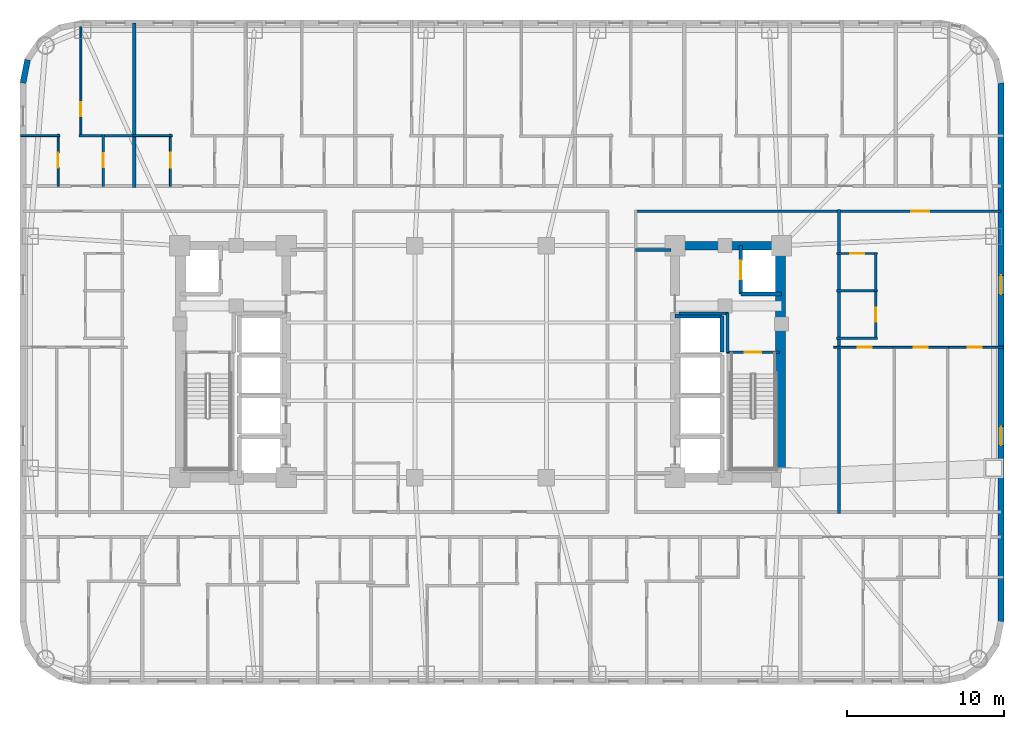
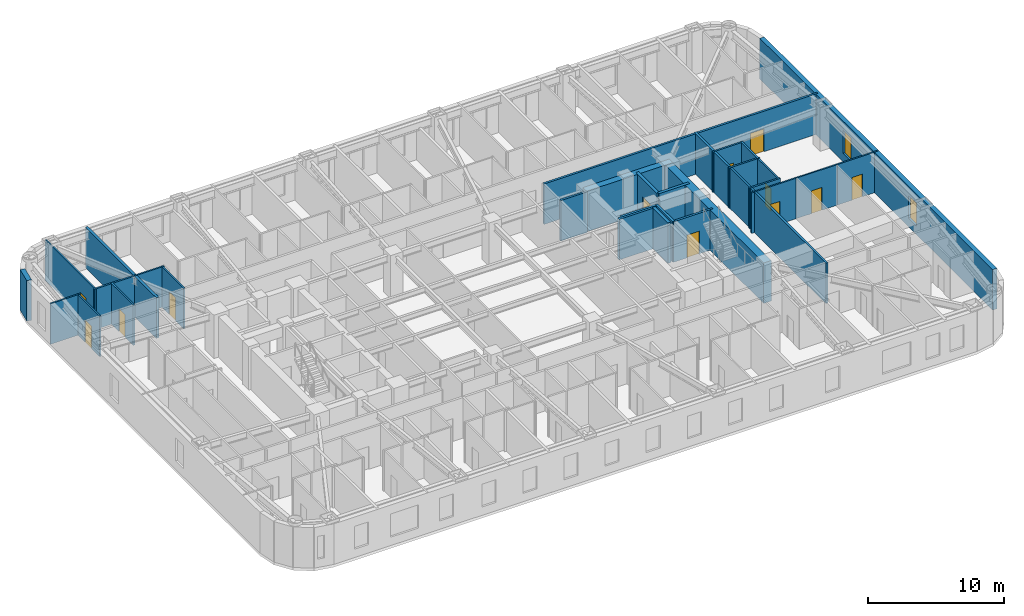
# One storey, part 8 of 13: 30 walls, 12 doors, 2 windows, 14 openings.
"""IFC4 building model written with IfcOpenShell, lengths in metres."""

from ifc_helpers import new_model, si_unit, direction, frame, frame_2d, origin, place, context, subcontext, project, spatial, rectangle, extrude, material, layer, layer_set, type_object, element, fill, save


model = new_model("IFC4")

# Units and contexts
model_context = context("Model", 3, precision=1e-05, world=origin(), true_north=direction((0.0, 1.0)))
body_context = subcontext(model_context, "Body", "Model", "MODEL_VIEW")
ifc_project = project(units=[si_unit("LENGTHUNIT", "METRE"), si_unit("AREAUNIT", "SQUARE_METRE"), si_unit("VOLUMEUNIT", "CUBIC_METRE"), si_unit("PLANEANGLEUNIT", "RADIAN"), si_unit("MASSUNIT", "GRAM", prefix="KILO")], contexts=[model_context])

# Site, building, storey
site_placement = place(None, origin())
site = spatial("IfcSite", under=ifc_project, at=site_placement, CompositionType="ELEMENT")
building_placement = place(site_placement, origin())
building = spatial("IfcBuilding", under=site, at=building_placement, Name="Voryun Gate Residences", CompositionType="ELEMENT")
storey_placement = place(building_placement, frame((0.0, 0.0, 120.89990234375)))
storey = spatial("IfcBuildingStorey", under=building, at=storey_placement, Name="L29", CompositionType="ELEMENT", Elevation=120.89990234375)

# Walls
ifc_material_1 = material(Name="Concrete C60/75", Category="concrete")
ifc_layer_1 = layer(ifc_material_1, 0.550048828125, Name="CW_CORE_550")
ifc_layer_set_1 = layer_set([ifc_layer_1], Name="Concrete C60/75")
wall_type_1 = type_object("IfcWallType", Name="CW_CORE_550", PredefinedType="SHEAR", material=ifc_layer_set_1)
wall_1_placement = place(storey_placement, frame((12.125, 7.39990234375, 0.0), z_axis=(0.0, 0.0, 1.0), x_axis=(1.0, 0.0, 0.0)))
element("IfcWall", 1, at=wall_1_placement, inside=storey, type_object=wall_type_1, Name="L29 Core shear wall CW-L29-EN", PredefinedType="SHEAR", context=body_context, shape_type="SweptSolid", body=[
    extrude(rectangle(XDim=7.35009765625, YDim=0.550048828125, at=frame_2d((3.675048828125, 0.0))), origin(), (0.0, 0.0, 1.0), 3.650146484375),
])
ifc_material_2 = material(Name="Concrete C60/75", Category="concrete")
ifc_layer_2 = layer(ifc_material_2, 0.64990234375, Name="CW_CORE_650")
ifc_layer_set_2 = layer_set([ifc_layer_2], Name="Concrete C60/75")
wall_type_2 = type_object("IfcWallType", Name="CW_CORE_650", PredefinedType="SHEAR", material=ifc_layer_set_2)
wall_2_placement = place(storey_placement, frame((19.14501953125, -7.39990234375, 0.0), z_axis=(0.0, 0.0, 1.0), x_axis=(0.0, 1.0, 0.0)))
element("IfcWall", 2, at=wall_2_placement, inside=storey, type_object=wall_type_2, Name="L29 Core shear wall CW-L29-EE", PredefinedType="SHEAR", context=body_context, shape_type="SweptSolid", body=[
    extrude(rectangle(XDim=14.7998046875, YDim=0.64990234375, at=frame_2d((7.39990234375, 0.0))), origin(), (0.0, 0.0, 1.0), 3.650146484375),
])

# Wall, opening, door
ifc_material_3 = material(Name="Gypsum acoustic fireboard")
ifc_layer_3 = layer(ifc_material_3, 0.179931640625, Name="W_CORR_RATED_180")
ifc_layer_set_3 = layer_set([ifc_layer_3], Name="Gypsum acoustic fireboard")
wall_type_3 = type_object("IfcWallType", Name="W_CORR_RATED_180", PredefinedType="PARTITIONING", material=ifc_layer_set_3)
wall_3_placement = place(storey_placement, frame((15.699951171875, 0.60009765625, 0.0), z_axis=(0.0, 0.0, 1.0), x_axis=(1.0, 0.0, 0.0)))
wall_3 = element("IfcWall", 3, at=wall_3_placement, inside=storey, type_object=wall_type_3, Name="Partition wall WP-L29-STV-E", PredefinedType="PARTITIONING", context=body_context, shape_type="SweptSolid", body=[
    extrude(rectangle(XDim=3.360107421875, YDim=0.179931640625, at=frame_2d((1.68017578125, 0.0))), origin(), (0.0, 0.0, 1.0), 3.650146484375),
])
opening_1_placement = place(wall_3_placement, frame((1.155029296875, 0.0, 0.0)))
opening_1 = element("IfcOpeningElement", 4, at=opening_1_placement, cuts=wall_3, Name="Opening D-FD60-1", PredefinedType="OPENING", context=body_context, shape_type="SweptSolid", body=[
    extrude(rectangle(XDim=1.050048828125, YDim=2.050048828125, at=frame_2d((0.52490234375, 1.02490234375))), frame((0.0, 0.099853515625, 0.0), z_axis=(0.0, -1.0, 0.0), x_axis=(1.0, 0.0, 0.0)), (0.0, 0.0, 1.0), 0.199951171875),
])
ifc_material_4 = material(Name="Painted steel fire door", Category="steel")
door_type_1 = type_object("IfcDoorType", Name="DR_FD60_STAIR_1050", OperationType="NOTDEFINED", PredefinedType="DOOR", material=ifc_material_4)
door_1_placement = place(opening_1_placement, origin())
door_1 = element("IfcDoor", 5, at=door_1_placement, inside=storey, type_object=door_type_1, Name="Door DR-L29-ST-E", OperationType="SINGLE_SWING_RIGHT", OverallHeight=2.050048828125, OverallWidth=1.050048828125, PredefinedType="DOOR", context=body_context, shape_type="SweptSolid", body=[
    extrude(rectangle(XDim=1.050048828125, YDim=2.050048828125, at=frame_2d((0.52490234375, 1.02490234375))), frame((0.0, 0.02490234375, 0.0), z_axis=(0.0, -1.0, 0.0), x_axis=(1.0, 0.0, 0.0)), (0.0, 0.0, 1.0), 0.050048828125),
])
fill(opening_1, door_1)

# Wall
wall_4_placement = place(storey_placement, frame((9.8798828125, 7.1201171875, 0.0), z_axis=(0.0, 0.0, 1.0), x_axis=(1.0, 0.0, 0.0)))
element("IfcWall", 6, at=wall_4_placement, inside=storey, type_object=wall_type_3, Name="Partition wall WP-L29-PLBN-E", PredefinedType="PARTITIONING", context=body_context, shape_type="SweptSolid", body=[
    extrude(rectangle(XDim=2.27001953125, YDim=0.179931640625, at=frame_2d((1.135009765625, 0.0))), origin(), (0.0, 0.0, 1.0), 3.650146484375),
])

# Wall, opening, door
wall_5_placement = place(storey_placement, frame((9.8798828125, 9.590087890625, 0.0), z_axis=(0.0, 0.0, 1.0), x_axis=(1.0, 0.0, 0.0)))
wall_5 = element("IfcWall", 7, at=wall_5_placement, inside=storey, type_object=wall_type_3, Name="Partition wall WP-L29-CWING-EN", PredefinedType="PARTITIONING", context=body_context, shape_type="SweptSolid", body=[
    extrude(rectangle(XDim=23.330078125, YDim=0.179931640625, at=frame_2d((11.6650390625, 0.0))), origin(), (0.0, 0.0, 1.0), 3.650146484375),
])
opening_2_placement = place(wall_5_placement, frame((17.589599609375, 0.0, 0.0)))
opening_2 = element("IfcOpeningElement", 8, at=opening_2_placement, cuts=wall_5, Name="Opening D-UNIT-1", PredefinedType="OPENING", context=body_context, shape_type="SweptSolid", body=[
    extrude(rectangle(XDim=1.14990234375, YDim=2.050048828125, at=frame_2d((0.574951171875, 1.02490234375))), frame((0.0, 0.099853515625, 0.0), z_axis=(0.0, -1.0, 0.0), x_axis=(1.0, 0.0, 0.0)), (0.0, 0.0, 1.0), 0.199951171875),
])
ifc_material_5 = material(Name="Armoured timber-clad fire door", Category="wood")
door_type_2 = type_object("IfcDoorType", Name="DR_UNIT_ENTRY_1150", OperationType="NOTDEFINED", PredefinedType="DOOR", material=ifc_material_5)
door_2_placement = place(opening_2_placement, origin())
door_2 = element("IfcDoor", 9, at=door_2_placement, inside=storey, type_object=door_type_2, Name="Door DR-L29-EE1N", OperationType="SINGLE_SWING_LEFT", OverallHeight=2.050048828125, OverallWidth=1.14990234375, PredefinedType="DOOR", context=body_context, shape_type="SweptSolid", body=[
    extrude(rectangle(XDim=1.14990234375, YDim=2.050048828125, at=frame_2d((0.574951171875, 1.02490234375))), frame((0.0, 0.02490234375, 0.0), z_axis=(0.0, -1.0, 0.0), x_axis=(1.0, 0.0, 0.0)), (0.0, 0.0, 1.0), 0.050048828125),
])
fill(opening_2, door_2)

# Walls
wall_6_placement = place(storey_placement, frame((22.8701171875, -9.7099609375, 0.0), z_axis=(0.0, 0.0, 1.0), x_axis=(0.0, 1.0, 0.0)))
element("IfcWall", 10, at=wall_6_placement, inside=storey, type_object=wall_type_3, Name="Partition wall WP-L29-ECOR", PredefinedType="PARTITIONING", context=body_context, shape_type="SweptSolid", body=[
    extrude(rectangle(XDim=19.419921875, YDim=0.179931640625, at=frame_2d((9.7099609375, 0.0))), origin(), (0.0, 0.0, 1.0), 3.650146484375),
])
ifc_material_6 = material(Name="Granite masonry", Category="masonry")
ifc_layer_4 = layer(ifc_material_6, 0.3798828125, Name="W_EXT_GRANITE_380")
ifc_layer_set_4 = layer_set([ifc_layer_4], Name="Granite masonry")
wall_type_4 = type_object("IfcWallType", Name="W_EXT_GRANITE_380", PredefinedType="ELEMENTEDWALL", material=ifc_layer_set_4)
wall_7_placement = place(storey_placement, frame((-29.2099609375, 17.78125, 0.0), z_axis=(0.0, 0.0, 1.0), x_axis=(0.195086038585, 0.980786132421, 0.0)))
element("IfcWall", 11, at=wall_7_placement, inside=storey, type_object=wall_type_4, Name="Exterior wall WEXT-L29-07", PredefinedType="ELEMENTEDWALL", context=body_context, shape_type="SweptSolid", body=[
    extrude(rectangle(XDim=1.504150390625, YDim=0.3798828125, at=frame_2d((0.751953125, 0.0))), origin(), (0.0, 0.0, 1.0), 3.650146484375),
])

# Wall, openings, windows
wall_8_placement = place(storey_placement, frame((33.2099609375, 17.78125, 0.0), z_axis=(0.0, 0.0, 1.0), x_axis=(0.0, -1.0, 0.0)))
wall_8 = element("IfcWall", 12, at=wall_8_placement, inside=storey, type_object=wall_type_4, Name="Exterior wall WEXT-L29-16", PredefinedType="ELEMENTEDWALL", context=body_context, shape_type="SweptSolid", body=[
    extrude(rectangle(XDim=34.362548828125, YDim=0.3798828125, at=frame_2d((17.18115234375, 0.0))), origin(), (0.0, 0.0, 1.0), 3.650146484375),
])
opening_3_placement = place(wall_8_placement, frame((12.286376953125, 0.0, 0.75)))
opening_3 = element("IfcOpeningElement", 13, at=opening_3_placement, cuts=wall_8, Name="Opening WN6", PredefinedType="OPENING", context=body_context, shape_type="SweptSolid", body=[
    extrude(rectangle(XDim=1.199951171875, YDim=2.050048828125, at=frame_2d((0.60009765625, 1.02490234375))), frame((0.0, 0.199951171875, 0.0), z_axis=(0.0, -1.0, 0.0), x_axis=(1.0, 0.0, 0.0)), (0.0, 0.0, 1.0), 0.39990234375),
])
opening_4_placement = place(wall_8_placement, frame((21.936279296875, 0.0, 0.75)))
opening_4 = element("IfcOpeningElement", 14, at=opening_4_placement, cuts=wall_8, Name="Opening WN6", PredefinedType="OPENING", context=body_context, shape_type="SweptSolid", body=[
    extrude(rectangle(XDim=1.199951171875, YDim=2.050048828125, at=frame_2d((0.60009765625, 1.02490234375))), frame((0.0, 0.199951171875, 0.0), z_axis=(0.0, -1.0, 0.0), x_axis=(1.0, 0.0, 0.0)), (0.0, 0.0, 1.0), 0.39990234375),
])
ifc_material_7 = material(Name="Laminated low-E glass", Category="glass")
window_type = type_object("IfcWindowType", Name="WN_POD_SLOT_1200", PartitioningType="SINGLE_PANEL", PredefinedType="WINDOW", material=ifc_material_7)
window_1_placement = place(opening_3_placement, origin())
window_1 = element("IfcWindow", 15, at=window_1_placement, inside=storey, type_object=window_type, Name="Window WN-L29-DWFIX-32", OverallHeight=2.050048828125, OverallWidth=1.199951171875, PartitioningType="SINGLE_PANEL", PredefinedType="WINDOW", context=body_context, shape_type="SweptSolid", body=[
    extrude(rectangle(XDim=1.199951171875, YDim=2.050048828125, at=frame_2d((0.60009765625, 1.02490234375))), frame((0.0, 0.030029296875, 0.0), z_axis=(0.0, -1.0, 0.0), x_axis=(1.0, 0.0, 0.0)), (0.0, 0.0, 1.0), 0.06005859375),
])
fill(opening_3, window_1)
window_2_placement = place(opening_4_placement, origin())
window_2 = element("IfcWindow", 16, at=window_2_placement, inside=storey, type_object=window_type, Name="Window WN-L29-DWFIX-33", OverallHeight=2.050048828125, OverallWidth=1.199951171875, PartitioningType="SINGLE_PANEL", PredefinedType="WINDOW", context=body_context, shape_type="SweptSolid", body=[
    extrude(rectangle(XDim=1.199951171875, YDim=2.050048828125, at=frame_2d((0.60009765625, 1.02490234375))), frame((0.0, 0.030029296875, 0.0), z_axis=(0.0, -1.0, 0.0), x_axis=(1.0, 0.0, 0.0)), (0.0, 0.0, 1.0), 0.06005859375),
])
fill(opening_4, window_2)

# Walls
ifc_material_8 = material(Name="Concrete C40/50", Category="concrete")
ifc_layer_5 = layer(ifc_material_8, 0.199951171875, Name="W_FF_LOBBY_200")
ifc_layer_set_5 = layer_set([ifc_layer_5], Name="Concrete C40/50")
wall_type_5 = type_object("IfcWallType", Name="W_FF_LOBBY_200", PredefinedType="PARTITIONING", material=ifc_layer_set_5)
wall_9_placement = place(storey_placement, frame((15.760009765625, 0.580078125, 0.0), z_axis=(0.0, 0.0, 1.0), x_axis=(0.0, 1.0, 0.0)))
element("IfcWall", 17, at=wall_9_placement, inside=storey, type_object=wall_type_5, Name="Partition wall WP-L29-FFP0-E", PredefinedType="PARTITIONING", context=body_context, shape_type="SweptSolid", body=[
    extrude(rectangle(XDim=2.52001953125, YDim=0.199951171875, at=frame_2d((1.260009765625, 0.0))), origin(), (0.0, 0.0, 1.0), 3.650146484375),
])
wall_10_placement = place(storey_placement, frame((12.659912109375, 3.06005859375, 0.0), z_axis=(0.0, 0.0, 1.0), x_axis=(1.0, 0.0, 0.0)))
element("IfcWall", 18, at=wall_10_placement, inside=storey, type_object=wall_type_5, Name="Partition wall WP-L29-FFPS-E", PredefinedType="PARTITIONING", context=body_context, shape_type="SweptSolid", body=[
    extrude(rectangle(XDim=3.16015625, YDim=0.199951171875, at=frame_2d((1.580078125, 0.0))), origin(), (0.0, 0.0, 1.0), 3.650146484375),
])
ifc_material_9 = material(Name="Concrete C40/50", Category="concrete")
ifc_layer_6 = layer(ifc_material_9, 0.219970703125, Name="W_PARTY_ACOUSTIC_220")
ifc_layer_set_6 = layer_set([ifc_layer_6], Name="Concrete C40/50")
wall_type_6 = type_object("IfcWallType", Name="W_PARTY_ACOUSTIC_220", PredefinedType="PARTITIONING", material=ifc_layer_set_6)
wall_11_placement = place(storey_placement, frame((-22.10888671875, 11.1201171875, 0.0), z_axis=(0.0, 0.0, 1.0), x_axis=(0.0, 1.0, 0.0)))
element("IfcWall", 19, at=wall_11_placement, inside=storey, type_object=wall_type_6, Name="Partition wall WP-L29-NPTY-1", PredefinedType="PARTITIONING", context=body_context, shape_type="SweptSolid", body=[
    extrude(rectangle(XDim=10.489990234375, YDim=0.219970703125, at=frame_2d((5.2451171875, 0.0))), origin(), (0.0, 0.0, 1.0), 3.650146484375),
])
ifc_material_10 = material(Name="Concrete C50/60", Category="concrete")
ifc_layer_7 = layer(ifc_material_10, 0.25, Name="W_SHAFT_RC250")
ifc_layer_set_7 = layer_set([ifc_layer_7], Name="Concrete C50/60")
wall_type_7 = type_object("IfcWallType", Name="W_SHAFT_RC250", PredefinedType="SOLIDWALL", material=ifc_layer_set_7)
wall_12_placement = place(storey_placement, frame((16.60009765625, 4.300048828125, 0.0), z_axis=(0.0, 0.0, 1.0), x_axis=(1.0, 0.0, 0.0)))
element("IfcWall", 20, at=wall_12_placement, inside=storey, type_object=wall_type_7, Name="Lift shaft wall WSH-L29-EL-FF-E1-S", PredefinedType="SOLIDWALL", context=body_context, shape_type="SweptSolid", body=[
    extrude(rectangle(XDim=2.599853515625, YDim=0.25, at=frame_2d((1.2998046875, 0.0))), origin(), (0.0, 0.0, 1.0), 3.650146484375),
])

# Wall, opening, door
wall_13_placement = place(storey_placement, frame((16.60009765625, 7.39990234375, 0.0), z_axis=(0.0, 0.0, 1.0), x_axis=(0.0, -1.0, 0.0)))
wall_13 = element("IfcWall", 21, at=wall_13_placement, inside=storey, type_object=wall_type_7, Name="Lift shaft wall WSH-L29-EL-FF-E1-W", PredefinedType="SOLIDWALL", context=body_context, shape_type="SweptSolid", body=[
    extrude(rectangle(XDim=3.099853515625, YDim=0.25, at=frame_2d((1.5498046875, 0.0))), origin(), (0.0, 0.0, 1.0), 3.650146484375),
])
opening_5_placement = place(wall_13_placement, frame((0.949951171875, 0.0, 0.0)))
opening_5 = element("IfcOpeningElement", 22, at=opening_5_placement, cuts=wall_13, Name="Opening LD1", PredefinedType="OPENING", context=body_context, shape_type="SweptSolid", body=[
    extrude(rectangle(XDim=1.199951171875, YDim=2.050048828125, at=frame_2d((0.60009765625, 1.02490234375))), frame((0.0, 0.135009765625, 0.0), z_axis=(0.0, -1.0, 0.0), x_axis=(1.0, 0.0, 0.0)), (0.0, 0.0, 1.0), 0.27001953125),
])
ifc_material_11 = material(Name="Anodised aluminium", Category="aluminium")
door_type_3 = type_object("IfcDoorType", Name="DR_LD_FF_1200", OperationType="NOTDEFINED", PredefinedType="DOOR", material=ifc_material_11)
door_3_placement = place(opening_5_placement, origin())
door_3 = element("IfcDoor", 23, at=door_3_placement, inside=storey, type_object=door_type_3, Name="Lift EL-FF-E1 sliding landing door L29", OperationType="SLIDING_TO_LEFT", OverallHeight=2.050048828125, OverallWidth=1.199951171875, PredefinedType="DOOR", context=body_context, shape_type="SweptSolid", body=[
    extrude(rectangle(XDim=1.199951171875, YDim=2.050048828125, at=frame_2d((0.60009765625, 1.02490234375))), frame((0.0, 0.02490234375, 0.0), z_axis=(0.0, -1.0, 0.0), x_axis=(1.0, 0.0, 0.0)), (0.0, 0.0, 1.0), 0.050048828125),
])
fill(opening_5, door_3)

# Walls
wall_14_placement = place(storey_placement, frame((15.39990234375, 0.60009765625, 0.0), z_axis=(0.0, 0.0, 1.0), x_axis=(0.0, 1.0, 0.0)))
element("IfcWall", 24, at=wall_14_placement, inside=storey, type_object=wall_type_7, Name="Lift shaft wall WSH-L29-EL-P8-E", PredefinedType="SOLIDWALL", context=body_context, shape_type="SweptSolid", body=[
    extrude(rectangle(XDim=2.2998046875, YDim=0.25, at=frame_2d((1.14990234375, 0.0))), origin(), (0.0, 0.0, 1.0), 3.650146484375),
])
wall_15_placement = place(storey_placement, frame((15.39990234375, 2.89990234375, 0.0), z_axis=(0.0, 0.0, 1.0), x_axis=(-1.0, 0.0, 0.0)))
element("IfcWall", 25, at=wall_15_placement, inside=storey, type_object=wall_type_7, Name="Lift shaft wall WSH-L29-EL-P8-N", PredefinedType="SOLIDWALL", context=body_context, shape_type="SweptSolid", body=[
    extrude(rectangle(XDim=3.0, YDim=0.25, at=frame_2d((1.5, 0.0))), origin(), (0.0, 0.0, 1.0), 3.650146484375),
])

# Wall, opening, door
ifc_material_12 = material(Name="Gypsum acoustic partition")
ifc_layer_8 = layer(ifc_material_12, 0.125, Name="W_UNIT_PART_125")
ifc_layer_set_8 = layer_set([ifc_layer_8], Name="Gypsum acoustic partition")
wall_type_8 = type_object("IfcWallType", Name="W_UNIT_PART_125", PredefinedType="PARTITIONING", material=ifc_layer_set_8)
wall_16_placement = place(storey_placement, frame((-25.51904296875, 14.340087890625, 0.0), z_axis=(0.0, 0.0, 1.0), x_axis=(0.0, 1.0, 0.0)))
wall_16 = element("IfcWall", 26, at=wall_16_placement, inside=storey, type_object=wall_type_8, Name="Partition wall WP-L29-N1-OVR", PredefinedType="PARTITIONING", context=body_context, shape_type="SweptSolid", body=[
    extrude(rectangle(XDim=7.3955078125, YDim=0.125, at=frame_2d((3.69775390625, 0.0))), origin(), (0.0, 0.0, 1.0), 3.650146484375),
])
opening_6_placement = place(wall_16_placement, frame((1.324951171875, 0.0, 0.0)))
opening_6 = element("IfcOpeningElement", 27, at=opening_6_placement, cuts=wall_16, Name="Opening D-INT-2", PredefinedType="OPENING", context=body_context, shape_type="SweptSolid", body=[
    extrude(rectangle(XDim=0.89990234375, YDim=2.050048828125, at=frame_2d((0.449951171875, 1.02490234375))), frame((0.0, 0.072509765625, 0.0), z_axis=(0.0, -1.0, 0.0), x_axis=(1.0, 0.0, 0.0)), (0.0, 0.0, 1.0), 0.14501953125),
])
ifc_material_13 = material(Name="Architectural oak veneer")
door_type_4 = type_object("IfcDoorType", Name="DR_INT_BATH_900", OperationType="NOTDEFINED", PredefinedType="DOOR", material=ifc_material_13)
door_4_placement = place(opening_6_placement, origin())
door_4 = element("IfcDoor", 28, at=door_4_placement, inside=storey, type_object=door_type_4, Name="Door DR-L29-N1-DMB", OperationType="SINGLE_SWING_RIGHT", OverallHeight=2.050048828125, OverallWidth=0.89990234375, PredefinedType="DOOR", context=body_context, shape_type="SweptSolid", body=[
    extrude(rectangle(XDim=0.89990234375, YDim=2.050048828125, at=frame_2d((0.449951171875, 1.02490234375))), frame((0.0, 0.02490234375, 0.0), z_axis=(0.0, -1.0, 0.0), x_axis=(1.0, 0.0, 0.0)), (0.0, 0.0, 1.0), 0.050048828125),
])
fill(opening_6, door_4)

wall_17_placement = place(storey_placement, frame((-26.968017578125, 11.179931640625, 0.0), z_axis=(0.0, 0.0, 1.0), x_axis=(0.0, 1.0, 0.0)))
wall_17 = element("IfcWall", 29, at=wall_17_placement, inside=storey, type_object=wall_type_8, Name="Partition wall WP-L29-N1-IVK", PredefinedType="PARTITIONING", context=body_context, shape_type="SweptSolid", body=[
    extrude(rectangle(XDim=3.320068359375, YDim=0.125, at=frame_2d((1.66015625, 0.0))), origin(), (0.0, 0.0, 1.0), 3.650146484375),
])
opening_7_placement = place(wall_17_placement, frame((1.18505859375, 0.0, 0.0)))
opening_7 = element("IfcOpeningElement", 30, at=opening_7_placement, cuts=wall_17, Name="Opening D-INT-1", PredefinedType="OPENING", context=body_context, shape_type="SweptSolid", body=[
    extrude(rectangle(XDim=0.949951171875, YDim=2.050048828125, at=frame_2d((0.47509765625, 1.02490234375))), frame((0.0, 0.072509765625, 0.0), z_axis=(0.0, -1.0, 0.0), x_axis=(1.0, 0.0, 0.0)), (0.0, 0.0, 1.0), 0.14501953125),
])
ifc_material_14 = material(Name="Architectural oak veneer")
door_type_5 = type_object("IfcDoorType", Name="DR_INT_ROOM_950", OperationType="NOTDEFINED", PredefinedType="DOOR", material=ifc_material_14)
door_5_placement = place(opening_7_placement, origin())
door_5 = element("IfcDoor", 31, at=door_5_placement, inside=storey, type_object=door_type_5, Name="Door DR-L29-N1-DK", OperationType="SINGLE_SWING_LEFT", OverallHeight=2.050048828125, OverallWidth=0.949951171875, PredefinedType="DOOR", context=body_context, shape_type="SweptSolid", body=[
    extrude(rectangle(XDim=0.949951171875, YDim=2.050048828125, at=frame_2d((0.47509765625, 1.02490234375))), frame((0.0, 0.02490234375, 0.0), z_axis=(0.0, -1.0, 0.0), x_axis=(1.0, 0.0, 0.0)), (0.0, 0.0, 1.0), 0.050048828125),
])
fill(opening_7, door_5)

# Wall
wall_18_placement = place(storey_placement, frame((-29.360107421875, 14.419921875, 0.0), z_axis=(0.0, 0.0, 1.0), x_axis=(1.0, 0.0, 0.0)))
element("IfcWall", 32, at=wall_18_placement, inside=storey, type_object=wall_type_8, Name="Partition wall WP-L29-N1-HZK", PredefinedType="PARTITIONING", context=body_context, shape_type="SweptSolid", body=[
    extrude(rectangle(XDim=2.51220703125, YDim=0.125, at=frame_2d((1.256103515625, 0.0))), origin(), (0.0, 0.0, 1.0), 3.650146484375),
])

# Wall, opening, door
wall_19_placement = place(storey_placement, frame((-19.799072265625, 11.179931640625, 0.0), z_axis=(0.0, 0.0, 1.0), x_axis=(0.0, 1.0, 0.0)))
wall_19 = element("IfcWall", 33, at=wall_19_placement, inside=storey, type_object=wall_type_8, Name="Partition wall WP-L29-N2-IVK", PredefinedType="PARTITIONING", context=body_context, shape_type="SweptSolid", body=[
    extrude(rectangle(XDim=3.320068359375, YDim=0.125, at=frame_2d((1.66015625, 0.0))), origin(), (0.0, 0.0, 1.0), 3.650146484375),
])
opening_8_placement = place(wall_19_placement, frame((1.18505859375, 0.0, 0.0)))
opening_8 = element("IfcOpeningElement", 34, at=opening_8_placement, cuts=wall_19, Name="Opening D-INT-1", PredefinedType="OPENING", context=body_context, shape_type="SweptSolid", body=[
    extrude(rectangle(XDim=0.949951171875, YDim=2.050048828125, at=frame_2d((0.47509765625, 1.02490234375))), frame((0.0, 0.072509765625, 0.0), z_axis=(0.0, -1.0, 0.0), x_axis=(1.0, 0.0, 0.0)), (0.0, 0.0, 1.0), 0.14501953125),
])
door_6_placement = place(opening_8_placement, origin())
door_6 = element("IfcDoor", 35, at=door_6_placement, inside=storey, type_object=door_type_5, Name="Door DR-L29-N2-DK", OperationType="SINGLE_SWING_LEFT", OverallHeight=2.050048828125, OverallWidth=0.949951171875, PredefinedType="DOOR", context=body_context, shape_type="SweptSolid", body=[
    extrude(rectangle(XDim=0.949951171875, YDim=2.050048828125, at=frame_2d((0.47509765625, 1.02490234375))), frame((0.0, 0.02490234375, 0.0), z_axis=(0.0, -1.0, 0.0), x_axis=(1.0, 0.0, 0.0)), (0.0, 0.0, 1.0), 0.050048828125),
])
fill(opening_8, door_6)

# Wall
wall_20_placement = place(storey_placement, frame((-22.18408203125, 14.419921875, 0.0), z_axis=(0.0, 0.0, 1.0), x_axis=(1.0, 0.0, 0.0)))
element("IfcWall", 36, at=wall_20_placement, inside=storey, type_object=wall_type_8, Name="Partition wall WP-L29-N2-HZK", PredefinedType="PARTITIONING", context=body_context, shape_type="SweptSolid", body=[
    extrude(rectangle(XDim=2.505126953125, YDim=0.125, at=frame_2d((1.25244140625, 0.0))), origin(), (0.0, 0.0, 1.0), 3.650146484375),
])

# Wall, opening, door
wall_21_placement = place(storey_placement, frame((22.550048828125, 0.909912109375, 0.0), z_axis=(0.0, 0.0, 1.0), x_axis=(1.0, 0.0, 0.0)))
wall_21 = element("IfcWall", 37, at=wall_21_placement, inside=storey, type_object=wall_type_8, Name="Partition wall WP-L29-E1-HZMB1", PredefinedType="PARTITIONING", context=body_context, shape_type="SweptSolid", body=[
    extrude(rectangle(XDim=3.900390625, YDim=0.125, at=frame_2d((1.9501953125, 0.0))), origin(), (0.0, 0.0, 1.0), 3.650146484375),
])
opening_9_placement = place(wall_21_placement, frame((1.509033203125, 0.0, 0.0)))
opening_9 = element("IfcOpeningElement", 38, at=opening_9_placement, cuts=wall_21, Name="Opening D-INT-2", PredefinedType="OPENING", context=body_context, shape_type="SweptSolid", body=[
    extrude(rectangle(XDim=0.89990234375, YDim=2.050048828125, at=frame_2d((0.449951171875, 1.02490234375))), frame((0.0, 0.072509765625, 0.0), z_axis=(0.0, -1.0, 0.0), x_axis=(1.0, 0.0, 0.0)), (0.0, 0.0, 1.0), 0.14501953125),
])
door_7_placement = place(opening_9_placement, origin())
door_7 = element("IfcDoor", 39, at=door_7_placement, inside=storey, type_object=door_type_4, Name="Door DR-L29-E1-DMB", OperationType="SINGLE_SWING_LEFT", OverallHeight=2.050048828125, OverallWidth=0.89990234375, PredefinedType="DOOR", context=body_context, shape_type="SweptSolid", body=[
    extrude(rectangle(XDim=0.89990234375, YDim=2.050048828125, at=frame_2d((0.449951171875, 1.02490234375))), frame((0.0, 0.02490234375, 0.0), z_axis=(0.0, -1.0, 0.0), x_axis=(1.0, 0.0, 0.0)), (0.0, 0.0, 1.0), 0.050048828125),
])
fill(opening_9, door_7)

wall_22_placement = place(storey_placement, frame((26.325439453125, 0.909912109375, 0.0), z_axis=(0.0, 0.0, 1.0), x_axis=(1.0, 0.0, 0.0)))
wall_22 = element("IfcWall", 40, at=wall_22_placement, inside=storey, type_object=wall_type_8, Name="Partition wall WP-L29-E1-HZMB2", PredefinedType="PARTITIONING", context=body_context, shape_type="SweptSolid", body=[
    extrude(rectangle(XDim=3.5400390625, YDim=0.125, at=frame_2d((1.77001953125, 0.0))), origin(), (0.0, 0.0, 1.0), 3.650146484375),
])
opening_10_placement = place(wall_22_placement, frame((1.320068359375, 0.0, 0.0)))
opening_10 = element("IfcOpeningElement", 41, at=opening_10_placement, cuts=wall_22, Name="Opening D-INT-2", PredefinedType="OPENING", context=body_context, shape_type="SweptSolid", body=[
    extrude(rectangle(XDim=0.89990234375, YDim=2.050048828125, at=frame_2d((0.449951171875, 1.02490234375))), frame((0.0, 0.072509765625, 0.0), z_axis=(0.0, -1.0, 0.0), x_axis=(1.0, 0.0, 0.0)), (0.0, 0.0, 1.0), 0.14501953125),
])
door_8_placement = place(opening_10_placement, origin())
door_8 = element("IfcDoor", 42, at=door_8_placement, inside=storey, type_object=door_type_4, Name="Door DR-L29-E1-DBD2", OperationType="SINGLE_SWING_RIGHT", OverallHeight=2.050048828125, OverallWidth=0.89990234375, PredefinedType="DOOR", context=body_context, shape_type="SweptSolid", body=[
    extrude(rectangle(XDim=0.89990234375, YDim=2.050048828125, at=frame_2d((0.449951171875, 1.02490234375))), frame((0.0, 0.02490234375, 0.0), z_axis=(0.0, -1.0, 0.0), x_axis=(1.0, 0.0, 0.0)), (0.0, 0.0, 1.0), 0.050048828125),
])
fill(opening_10, door_8)

wall_23_placement = place(storey_placement, frame((29.740478515625, 0.909912109375, 0.0), z_axis=(0.0, 0.0, 1.0), x_axis=(1.0, 0.0, 0.0)))
wall_23 = element("IfcWall", 43, at=wall_23_placement, inside=storey, type_object=wall_type_8, Name="Partition wall WP-L29-E1-HZMB3", PredefinedType="PARTITIONING", context=body_context, shape_type="SweptSolid", body=[
    extrude(rectangle(XDim=3.61962890625, YDim=0.125, at=frame_2d((1.809814453125, 0.0))), origin(), (0.0, 0.0, 1.0), 3.650146484375),
])
opening_11_placement = place(wall_23_placement, frame((1.35107421875, 0.0, 0.0)))
opening_11 = element("IfcOpeningElement", 44, at=opening_11_placement, cuts=wall_23, Name="Opening D-INT-2", PredefinedType="OPENING", context=body_context, shape_type="SweptSolid", body=[
    extrude(rectangle(XDim=0.89990234375, YDim=2.050048828125, at=frame_2d((0.449951171875, 1.02490234375))), frame((0.0, 0.072509765625, 0.0), z_axis=(0.0, -1.0, 0.0), x_axis=(1.0, 0.0, 0.0)), (0.0, 0.0, 1.0), 0.14501953125),
])
door_9_placement = place(opening_11_placement, origin())
door_9 = element("IfcDoor", 45, at=door_9_placement, inside=storey, type_object=door_type_4, Name="Door DR-L29-E1-DBD3", OperationType="SINGLE_SWING_LEFT", OverallHeight=2.050048828125, OverallWidth=0.89990234375, PredefinedType="DOOR", context=body_context, shape_type="SweptSolid", body=[
    extrude(rectangle(XDim=0.89990234375, YDim=2.050048828125, at=frame_2d((0.449951171875, 1.02490234375))), frame((0.0, 0.02490234375, 0.0), z_axis=(0.0, -1.0, 0.0), x_axis=(1.0, 0.0, 0.0)), (0.0, 0.0, 1.0), 0.050048828125),
])
fill(opening_11, door_9)

# Wall
ifc_material_15 = material(Name="Gypsum moisture-resistant partition")
ifc_layer_9 = layer(ifc_material_15, 0.14990234375, Name="W_WET_PLUMB_150")
ifc_layer_set_9 = layer_set([ifc_layer_9], Name="Gypsum moisture-resistant partition")
wall_type_9 = type_object("IfcWallType", Name="W_WET_PLUMB_150", PredefinedType="PLUMBINGWALL", material=ifc_layer_set_9)
wall_24_placement = place(storey_placement, frame((-25.638916015625, 14.419921875, 0.0), z_axis=(0.0, 0.0, 1.0), x_axis=(1.0, 0.0, 0.0)))
element("IfcWall", 46, at=wall_24_placement, inside=storey, type_object=wall_type_9, Name="Partition wall WP-L29-N1-HZB", PredefinedType="PLUMBINGWALL", context=body_context, shape_type="SweptSolid", body=[
    extrude(rectangle(XDim=3.60498046875, YDim=0.14990234375, at=frame_2d((1.802490234375, 0.0))), origin(), (0.0, 0.0, 1.0), 3.650146484375),
])

# Wall, opening, door
wall_25_placement = place(storey_placement, frame((-24.089111328125, 11.179931640625, 0.0), z_axis=(0.0, 0.0, 1.0), x_axis=(0.0, 1.0, 0.0)))
wall_25 = element("IfcWall", 47, at=wall_25_placement, inside=storey, type_object=wall_type_9, Name="Partition wall WP-L29-N1-IVB", PredefinedType="PLUMBINGWALL", context=body_context, shape_type="SweptSolid", body=[
    extrude(rectangle(XDim=3.320068359375, YDim=0.14990234375, at=frame_2d((1.66015625, 0.0))), origin(), (0.0, 0.0, 1.0), 3.650146484375),
])
opening_12_placement = place(wall_25_placement, frame((1.2099609375, 0.0, 0.0)))
opening_12 = element("IfcOpeningElement", 48, at=opening_12_placement, cuts=wall_25, Name="Opening D-INT-2", PredefinedType="OPENING", context=body_context, shape_type="SweptSolid", body=[
    extrude(rectangle(XDim=0.89990234375, YDim=2.050048828125, at=frame_2d((0.449951171875, 1.02490234375))), frame((0.0, 0.0849609375, 0.0), z_axis=(0.0, -1.0, 0.0), x_axis=(1.0, 0.0, 0.0)), (0.0, 0.0, 1.0), 0.169921875),
])
door_10_placement = place(opening_12_placement, origin())
door_10 = element("IfcDoor", 49, at=door_10_placement, inside=storey, type_object=door_type_4, Name="Door DR-L29-N1-DB", OperationType="SINGLE_SWING_RIGHT", OverallHeight=2.050048828125, OverallWidth=0.89990234375, PredefinedType="DOOR", context=body_context, shape_type="SweptSolid", body=[
    extrude(rectangle(XDim=0.89990234375, YDim=2.050048828125, at=frame_2d((0.449951171875, 1.02490234375))), frame((0.0, 0.02490234375, 0.0), z_axis=(0.0, -1.0, 0.0), x_axis=(1.0, 0.0, 0.0)), (0.0, 0.0, 1.0), 0.050048828125),
])
fill(opening_12, door_10)

wall_26_placement = place(storey_placement, frame((22.719970703125, 6.89990234375, 0.0), z_axis=(0.0, 0.0, 1.0), x_axis=(1.0, 0.0, 0.0)))
wall_26 = element("IfcWall", 50, at=wall_26_placement, inside=storey, type_object=wall_type_9, Name="Partition wall WP-L29-E1-IBT", PredefinedType="PLUMBINGWALL", context=body_context, shape_type="SweptSolid", body=[
    extrude(rectangle(XDim=2.6201171875, YDim=0.14990234375, at=frame_2d((1.31005859375, 0.0))), origin(), (0.0, 0.0, 1.0), 3.650146484375),
])
opening_13_placement = place(wall_26_placement, frame((0.860107421875, 0.0, 0.0)))
opening_13 = element("IfcOpeningElement", 51, at=opening_13_placement, cuts=wall_26, Name="Opening D-INT-2", PredefinedType="OPENING", context=body_context, shape_type="SweptSolid", body=[
    extrude(rectangle(XDim=0.89990234375, YDim=2.050048828125, at=frame_2d((0.449951171875, 1.02490234375))), frame((0.0, 0.0849609375, 0.0), z_axis=(0.0, -1.0, 0.0), x_axis=(1.0, 0.0, 0.0)), (0.0, 0.0, 1.0), 0.169921875),
])
door_11_placement = place(opening_13_placement, origin())
door_11 = element("IfcDoor", 52, at=door_11_placement, inside=storey, type_object=door_type_4, Name="Door DR-L29-E1-DK", OperationType="SINGLE_SWING_LEFT", OverallHeight=2.050048828125, OverallWidth=0.89990234375, PredefinedType="DOOR", context=body_context, shape_type="SweptSolid", body=[
    extrude(rectangle(XDim=0.89990234375, YDim=2.050048828125, at=frame_2d((0.449951171875, 1.02490234375))), frame((0.0, 0.02490234375, 0.0), z_axis=(0.0, -1.0, 0.0), x_axis=(1.0, 0.0, 0.0)), (0.0, 0.0, 1.0), 0.050048828125),
])
fill(opening_13, door_11)

# Walls
for number, where, z_axis, x_axis, name in (
    (53, (22.719970703125, 4.52001953125, 0.0), (0.0, 0.0, 1.0), (1.0, 0.0, 0.0), "Partition wall WP-L29-E1-IKB"),
    (54, (22.719970703125, 1.5, 0.0), (0.0, 0.0, 1.0), (1.0, 0.0, 0.0), "Partition wall WP-L29-E1-IBB"),
):
    element("IfcWall", number, at=place(storey_placement, frame(where, z_axis=z_axis, x_axis=x_axis)), inside=storey, type_object=wall_type_9, Name=name, PredefinedType="PLUMBINGWALL", context=body_context, shape_type="SweptSolid", body=[
        extrude(rectangle(XDim=2.6201171875, YDim=0.14990234375, at=frame_2d((1.31005859375, 0.0))), origin(), (0.0, 0.0, 1.0), 3.650146484375),
    ])

# Wall, opening, door
wall_27_placement = place(storey_placement, frame((25.219970703125, 1.43994140625, 0.0), z_axis=(0.0, 0.0, 1.0), x_axis=(0.0, 1.0, 0.0)))
wall_27 = element("IfcWall", 55, at=wall_27_placement, inside=storey, type_object=wall_type_9, Name="Partition wall WP-L29-E1-VTSK1", PredefinedType="PLUMBINGWALL", context=body_context, shape_type="SweptSolid", body=[
    extrude(rectangle(XDim=3.1201171875, YDim=0.14990234375, at=frame_2d((1.56005859375, 0.0))), origin(), (0.0, 0.0, 1.0), 3.650146484375),
])
opening_14_placement = place(wall_27_placement, frame((1.110107421875, 0.0, 0.0)))
opening_14 = element("IfcOpeningElement", 56, at=opening_14_placement, cuts=wall_27, Name="Opening D-INT-2", PredefinedType="OPENING", context=body_context, shape_type="SweptSolid", body=[
    extrude(rectangle(XDim=0.89990234375, YDim=2.050048828125, at=frame_2d((0.449951171875, 1.02490234375))), frame((0.0, 0.0849609375, 0.0), z_axis=(0.0, -1.0, 0.0), x_axis=(1.0, 0.0, 0.0)), (0.0, 0.0, 1.0), 0.169921875),
])
door_12_placement = place(opening_14_placement, origin())
door_12 = element("IfcDoor", 57, at=door_12_placement, inside=storey, type_object=door_type_4, Name="Door DR-L29-E1-DB", OperationType="SINGLE_SWING_RIGHT", OverallHeight=2.050048828125, OverallWidth=0.89990234375, PredefinedType="DOOR", context=body_context, shape_type="SweptSolid", body=[
    extrude(rectangle(XDim=0.89990234375, YDim=2.050048828125, at=frame_2d((0.449951171875, 1.02490234375))), frame((0.0, 0.02490234375, 0.0), z_axis=(0.0, -1.0, 0.0), x_axis=(1.0, 0.0, 0.0)), (0.0, 0.0, 1.0), 0.050048828125),
])
fill(opening_14, door_12)

# Wall
wall_28_placement = place(storey_placement, frame((25.219970703125, 4.47998046875, 0.0), z_axis=(0.0, 0.0, 1.0), x_axis=(0.0, 1.0, 0.0)))
element("IfcWall", 58, at=wall_28_placement, inside=storey, type_object=wall_type_9, Name="Partition wall WP-L29-E1-VTSK2", PredefinedType="PLUMBINGWALL", context=body_context, shape_type="SweptSolid", body=[
    extrude(rectangle(XDim=2.47998046875, YDim=0.14990234375, at=frame_2d((1.239990234375, 0.0))), origin(), (0.0, 0.0, 1.0), 3.650146484375),
])

save(model, "model.ifc")
